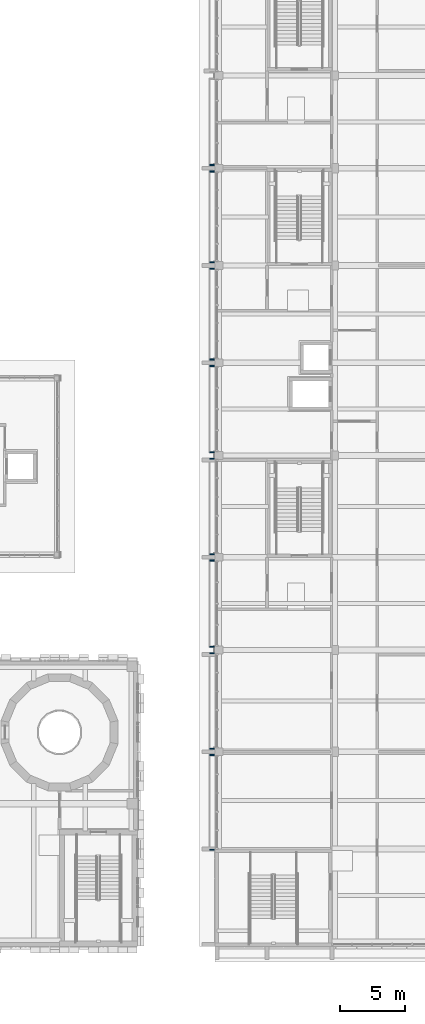
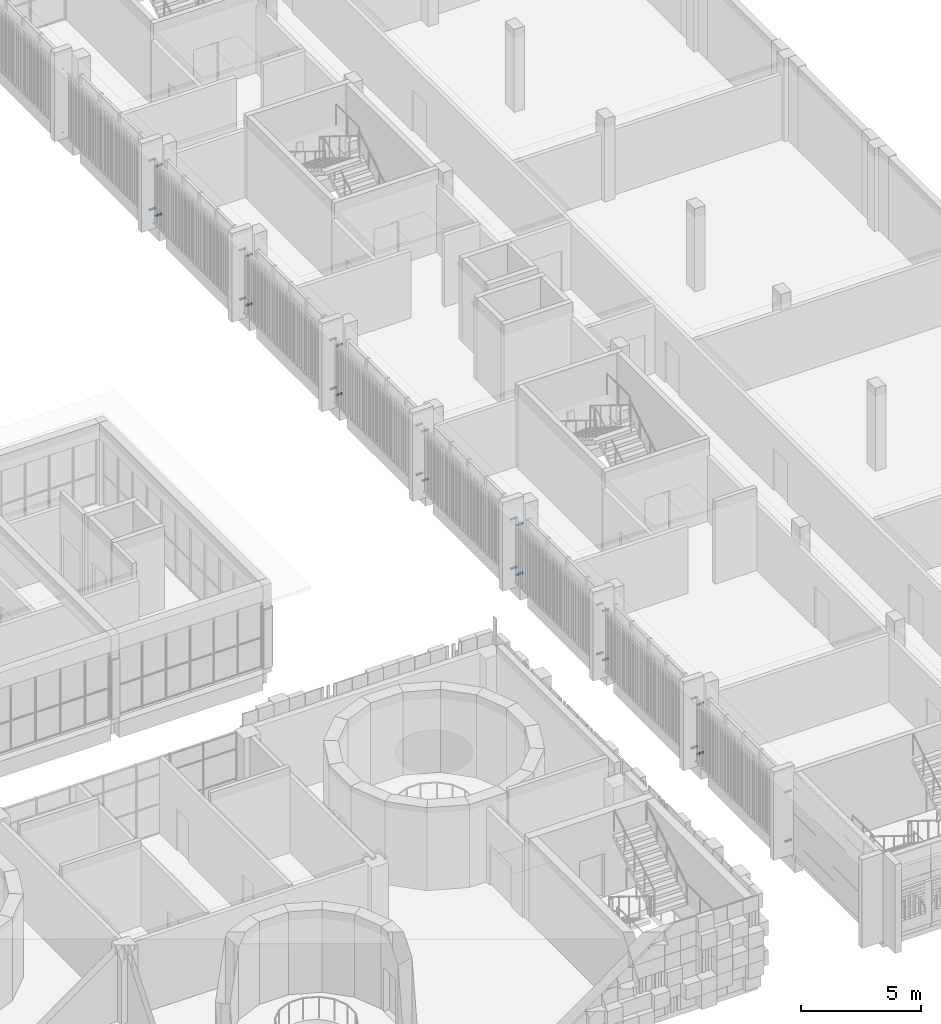
# One storey, part 56 of 92: 30 discrete accessories.
"""IFC4 building model written with IfcOpenShell, lengths in metres."""

from ifc_helpers import new_model, si_unit, direction, frame, origin, origin_2d, place, context, subcontext, project, spatial, rectangle, extrude, material, type_object, element, save


model = new_model("IFC4")

# Units and contexts
model_context = context("Model", 3, precision=1e-05, world=origin(), true_north=direction((0.0, 1.0)))
body_context = subcontext(model_context, "Body", "Model", "MODEL_VIEW")
ifc_project = project(units=[si_unit("LENGTHUNIT", "METRE"), si_unit("AREAUNIT", "SQUARE_METRE"), si_unit("VOLUMEUNIT", "CUBIC_METRE"), si_unit("PLANEANGLEUNIT", "RADIAN"), si_unit("MASSUNIT", "GRAM", prefix="KILO")], contexts=[model_context])

# Site, building, storey
site_placement = place(None, origin())
site = spatial("IfcSite", under=ifc_project, at=site_placement, CompositionType="ELEMENT")
building_placement = place(site_placement, origin())
building = spatial("IfcBuilding", under=site, at=building_placement, Name="Sun Court Science Centre", CompositionType="ELEMENT")
storey_placement = place(building_placement, frame((0.0, 0.0, 11.25)))
storey = spatial("IfcBuildingStorey", under=building, at=storey_placement, Name="L02", CompositionType="ELEMENT", Elevation=11.25)

# Discrete accessories
ifc_material = material(Name="Stainless steel", Category="steel")
discrete_accessory_type = type_object("IfcDiscreteAccessoryType", Name="Jali screen bracket", PredefinedType="BRACKET", material=ifc_material)
for number, where, z_axis, x_axis, name in (
    (1, (77.760009765625, 13.449951171875, 0.659912109375), (0.0, 0.0, 1.0), (0.0, 1.0, 0.0), "Jali screen bracket west face L02 01"),
    (2, (77.760009765625, 20.75, 0.659912109375), (0.0, 0.0, 1.0), (0.0, 1.0, 0.0), "Jali screen bracket west face L02 01"),
    (3, (77.760009765625, 13.449951171875, 3.159912109375), (0.0, 0.0, 1.0), (0.0, 1.0, 0.0), "Jali screen bracket west face L02 01"),
    (4, (77.760009765625, 20.75, 3.159912109375), (0.0, 0.0, 1.0), (0.0, 1.0, 0.0), "Jali screen bracket west face L02 01"),
    (5, (77.760009765625, 21.25, 0.659912109375), (0.0, 0.0, 1.0), (0.0, 1.0, 0.0), "Jali screen bracket west face L02 02"),
    (6, (77.760009765625, 28.60009765625, 0.659912109375), (0.0, 0.0, 1.0), (0.0, 1.0, 0.0), "Jali screen bracket west face L02 02"),
    (7, (77.760009765625, 21.25, 3.159912109375), (0.0, 0.0, 1.0), (0.0, 1.0, 0.0), "Jali screen bracket west face L02 02"),
    (8, (77.760009765625, 28.60009765625, 3.159912109375), (0.0, 0.0, 1.0), (0.0, 1.0, 0.0), "Jali screen bracket west face L02 02"),
    (9, (77.760009765625, 29.10009765625, 0.659912109375), (0.0, 0.0, 1.0), (0.0, 1.0, 0.0), "Jali screen bracket west face L02 03"),
    (10, (77.760009765625, 35.75, 0.659912109375), (0.0, 0.0, 1.0), (0.0, 1.0, 0.0), "Jali screen bracket west face L02 03"),
    (11, (77.760009765625, 29.10009765625, 3.159912109375), (0.0, 0.0, 1.0), (0.0, 1.0, 0.0), "Jali screen bracket west face L02 03"),
    (12, (77.760009765625, 35.75, 3.159912109375), (0.0, 0.0, 1.0), (0.0, 1.0, 0.0), "Jali screen bracket west face L02 03"),
    (13, (77.760009765625, 36.25, 0.659912109375), (0.0, 0.0, 1.0), (0.0, 1.0, 0.0), "Jali screen bracket west face L02 04"),
    (14, (77.760009765625, 43.60009765625, 0.659912109375), (0.0, 0.0, 1.0), (0.0, 1.0, 0.0), "Jali screen bracket west face L02 04"),
    (15, (77.760009765625, 36.25, 3.159912109375), (0.0, 0.0, 1.0), (0.0, 1.0, 0.0), "Jali screen bracket west face L02 04"),
    (16, (77.760009765625, 43.60009765625, 3.159912109375), (0.0, 0.0, 1.0), (0.0, 1.0, 0.0), "Jali screen bracket west face L02 04"),
    (17, (77.760009765625, 44.10009765625, 0.659912109375), (0.0, 0.0, 1.0), (0.0, 1.0, 0.0), "Jali screen bracket west face L02 05"),
    (18, (77.760009765625, 50.75, 0.659912109375), (0.0, 0.0, 1.0), (0.0, 1.0, 0.0), "Jali screen bracket west face L02 05"),
    (19, (77.760009765625, 44.10009765625, 3.159912109375), (0.0, 0.0, 1.0), (0.0, 1.0, 0.0), "Jali screen bracket west face L02 05"),
    (20, (77.760009765625, 50.75, 3.159912109375), (0.0, 0.0, 1.0), (0.0, 1.0, 0.0), "Jali screen bracket west face L02 05"),
    (21, (77.760009765625, 51.25, 0.659912109375), (0.0, 0.0, 1.0), (0.0, 1.0, 0.0), "Jali screen bracket west face L02 06"),
    (22, (77.760009765625, 58.25, 0.659912109375), (0.0, 0.0, 1.0), (0.0, 1.0, 0.0), "Jali screen bracket west face L02 06"),
    (23, (77.760009765625, 51.25, 3.159912109375), (0.0, 0.0, 1.0), (0.0, 1.0, 0.0), "Jali screen bracket west face L02 06"),
    (24, (77.760009765625, 58.25, 3.159912109375), (0.0, 0.0, 1.0), (0.0, 1.0, 0.0), "Jali screen bracket west face L02 06"),
    (25, (77.760009765625, 58.75, 0.659912109375), (0.0, 0.0, 1.0), (0.0, 1.0, 0.0), "Jali screen bracket west face L02 07"),
    (26, (77.760009765625, 65.75, 0.659912109375), (0.0, 0.0, 1.0), (0.0, 1.0, 0.0), "Jali screen bracket west face L02 07"),
    (27, (77.760009765625, 58.75, 3.159912109375), (0.0, 0.0, 1.0), (0.0, 1.0, 0.0), "Jali screen bracket west face L02 07"),
    (28, (77.760009765625, 65.75, 3.159912109375), (0.0, 0.0, 1.0), (0.0, 1.0, 0.0), "Jali screen bracket west face L02 07"),
    (29, (77.760009765625, 66.25, 0.659912109375), (0.0, 0.0, 1.0), (0.0, 1.0, 0.0), "Jali screen bracket west face L02 08"),
    (30, (77.760009765625, 66.25, 3.159912109375), (0.0, 0.0, 1.0), (0.0, 1.0, 0.0), "Jali screen bracket west face L02 08"),
):
    element("IfcDiscreteAccessory", number, at=place(storey_placement, frame(where, z_axis=z_axis, x_axis=x_axis)), inside=storey, type_object=discrete_accessory_type, Name=name, PredefinedType="BRACKET", context=body_context, shape_type="SweptSolid", body=[
        extrude(rectangle(XDim=0.080078125, YDim=0.320068359375, at=origin_2d()), origin(), (0.0, 0.0, 1.0), 0.080078125),
    ])

save(model, "model.ifc")
